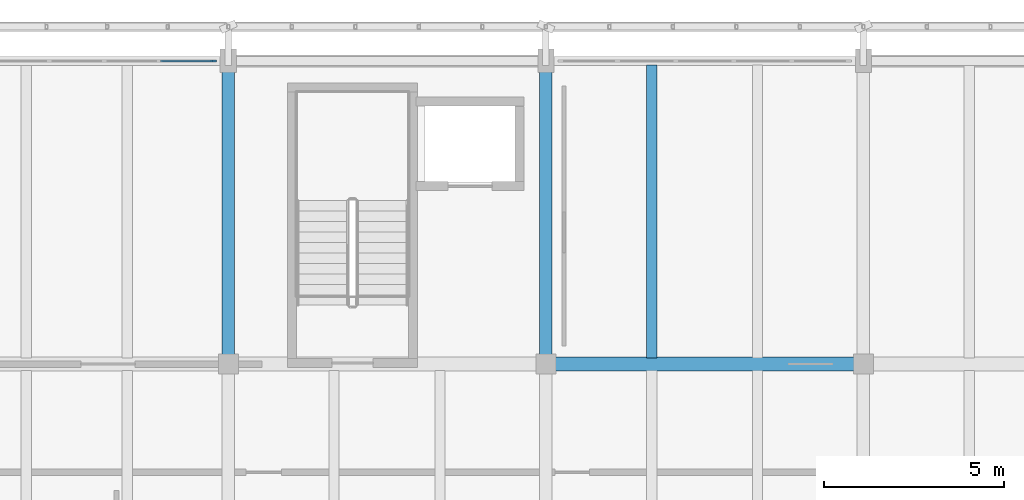
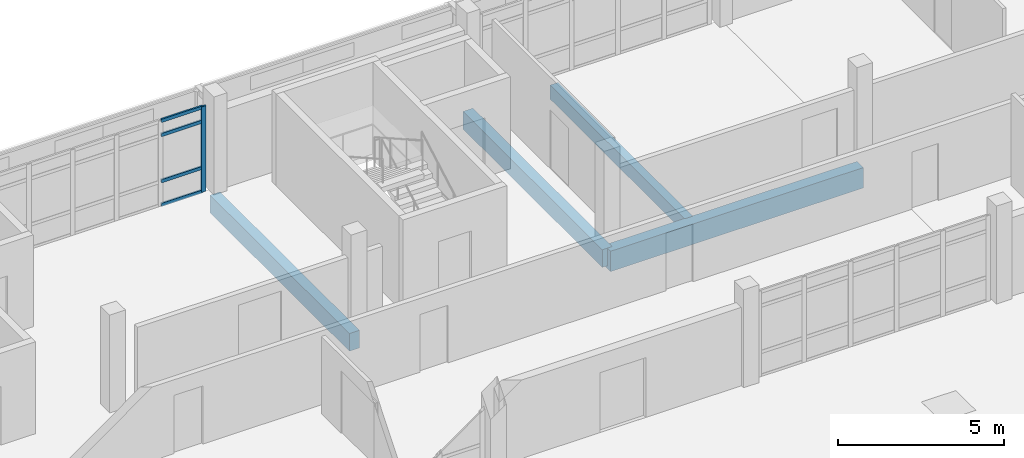
# One storey, part 10 of 30: 5 members, 4 beams, 1 element without a shape of its own.
"""IFC4 building model written with IfcOpenShell, lengths in metres."""

import ifcopenshell
import ifcopenshell.guid

model = None  # the IFC model being written
_history = None  # IfcOwnerHistory: only IFC2X3 demands one
_inside = {}  # id of a spatial element -> (the spatial element, [elements in it])
_under = {}  # id of a project, library or spatial element -> (it, [spatial elements below it])
_declared = {}  # id of a project -> (the project, [libraries it declares])
_typed = {}  # id of a type object -> (the type object, [elements of that type])
_made_of = {}  # id of a material, layer set ... -> (it, [elements and type objects made of it])


def new_model(schema):
    """Start an empty IFC model of exactly this schema.

    Asked for "IFC4X3", IfcOpenShell would pick the latest addendum, in which some entities
    have other attributes; the version numbers below select the first issue.
    IFC2X3 requires an IfcOwnerHistory on every rooted entity: one is made here for all.
    """
    global model, _history
    if schema == "IFC4X3":
        model = ifcopenshell.file(schema_version=(4, 3, 0, 0))
    else:
        model = ifcopenshell.file(schema=schema)
    _inside.clear()
    _under.clear()
    _declared.clear()
    _typed.clear()
    _made_of.clear()
    _history = None
    if model.schema == "IFC2X3":
        org = make("IfcOrganization", Name="unknown")
        user = make(
            "IfcPersonAndOrganization",
            ThePerson=make("IfcPerson", FamilyName="unknown"),
            TheOrganization=org,
        )
        app = make(
            "IfcApplication",
            ApplicationDeveloper=org,
            Version="unknown",
            ApplicationFullName="unknown",
            ApplicationIdentifier="unknown",
        )
        _history = make(
            "IfcOwnerHistory",
            OwningUser=user,
            OwningApplication=app,
            ChangeAction="ADDED",
            CreationDate=0,
        )
    return model


def make(cls, **values):
    """One entity of the class cls with the attributes given. An attribute that is None is left unset."""
    return model.create_entity(
        cls, **{name: value for name, value in values.items() if value is not None}
    )


def rooted(cls, **values):
    """An entity with a GlobalId (a new one), such as an element, a storey or a relation."""
    return make(cls, GlobalId=ifcopenshell.guid.new(), OwnerHistory=_history, **values)


def si_unit(unit_type, name, prefix=None):
    """IfcSIUnit, for example si_unit("LENGTHUNIT", "METRE", prefix="MILLI")."""
    return make("IfcSIUnit", UnitType=unit_type, Prefix=prefix, Name=name)


def assignment(units):
    """IfcUnitAssignment: the units of a project."""
    return None if units is None else make("IfcUnitAssignment", Units=units)


def point(xyz):
    """IfcCartesianPoint."""
    return None if xyz is None else make("IfcCartesianPoint", Coordinates=xyz)


def direction(xyz):
    """IfcDirection."""
    return None if xyz is None else make("IfcDirection", DirectionRatios=xyz)


def frame(location, z_axis=None, x_axis=None):
    """IfcAxis2Placement3D, a coordinate frame: its origin and axes. An axis left out is left unset."""
    return make(
        "IfcAxis2Placement3D",
        Location=point(location),
        Axis=direction(z_axis),
        RefDirection=direction(x_axis),
    )


def frame_2d(location, x_axis=None):
    """IfcAxis2Placement2D, a coordinate frame in the plane: its origin and x axis."""
    return make(
        "IfcAxis2Placement2D", Location=point(location), RefDirection=direction(x_axis)
    )


def origin():
    """The frame at (0, 0, 0) with its axes left unset."""
    return frame((0.0, 0.0, 0.0))


def origin_2d():
    """The frame at (0, 0) in the plane with its x axis left unset."""
    return frame_2d((0.0, 0.0))


def place(relative_to, where):
    """IfcLocalPlacement: puts the frame where relative to a parent placement (None: the world)."""
    return make(
        "IfcLocalPlacement", PlacementRelTo=relative_to, RelativePlacement=where
    )


def context(
    kind, dimensions, precision=None, world=None, true_north=None, identifier=None
):
    """IfcGeometricRepresentationContext, for example the 3D "Model" context."""
    return make(
        "IfcGeometricRepresentationContext",
        ContextIdentifier=identifier,
        ContextType=kind,
        CoordinateSpaceDimension=dimensions,
        Precision=precision,
        WorldCoordinateSystem=world,
        TrueNorth=true_north,
    )


def subcontext(parent, identifier, kind, view, scale=None):
    """IfcGeometricRepresentationSubContext, for example "Body" below "Model"."""
    return make(
        "IfcGeometricRepresentationSubContext",
        ContextIdentifier=identifier,
        ContextType=kind,
        ParentContext=parent,
        TargetScale=scale,
        TargetView=view,
    )


def project(units=None, contexts=None):
    """IfcProject with its units and contexts."""
    return rooted(
        "IfcProject",
        Name="project",
        RepresentationContexts=contexts,
        UnitsInContext=assignment(units),
    )


def spatial(cls, under=None, at=None, **own):
    """A site, building, storey or space (cls), placed at a placement, below another one or the project."""
    s = rooted(cls, ObjectPlacement=at, **own)
    if under is not None:
        _under.setdefault(under.id(), (under, []))[1].append(s)
    return s


def profile(cls, at=None, kind="AREA", **sizes):
    """A parametric profile (cls). Its sizes go by their IFC names, for example OverallWidth=200.0."""
    return make(cls, ProfileType=kind, Position=at, **sizes)


def rectangle(**sizes):
    """IfcRectangleProfileDef."""
    return profile("IfcRectangleProfileDef", **sizes)


def extrude(swept, where, along, depth):
    """IfcExtrudedAreaSolid: the profile swept, set in the frame where, extruded along a direction by depth."""
    return make(
        "IfcExtrudedAreaSolid",
        SweptArea=swept,
        Position=where,
        ExtrudedDirection=direction(along),
        Depth=depth,
    )


def shape(context_of_items, identifier, shape_type, items):
    """IfcShapeRepresentation: the items that make up one representation, for example the "Body"."""
    return make(
        "IfcShapeRepresentation",
        ContextOfItems=context_of_items,
        RepresentationIdentifier=identifier,
        RepresentationType=shape_type,
        Items=items,
    )


def material(Name=None, Category=None):
    """IfcMaterial."""
    return make("IfcMaterial", Name=Name, Category=Category)


def material_profile(
    of_material, cross_section, Name=None, Category=None, Priority=None
):
    """IfcMaterialProfile: a cross section and its material."""
    return make(
        "IfcMaterialProfile",
        Name=Name,
        Material=of_material,
        Profile=cross_section,
        Priority=Priority,
        Category=Category,
    )


def profile_set(profiles, Name=None, composite=None):
    """IfcMaterialProfileSet."""
    return make(
        "IfcMaterialProfileSet",
        Name=Name,
        MaterialProfiles=profiles,
        CompositeProfile=composite,
    )


def made_of(thing, what):
    """Note that an element or type object is made of a material, layer set ...; save() writes the relation."""
    if what is not None:
        _made_of.setdefault(what.id(), (what, []))[1].append(thing)
    return thing


def type_object(cls, material=None, **own):
    """A type object (cls), such as IfcWallType, which elements share."""
    return made_of(rooted(cls, **own), material)


def element(
    cls,
    number,
    at=None,
    inside=None,
    cuts=None,
    type_object=None,
    material=None,
    context=None,
    identifier="Body",
    shape_type=None,
    held_by="IfcProductDefinitionShape",
    body=None,
    shapes=None,
    **own,
):
    """One element of the class cls, such as IfcWall. Its Tag is "e" and its number.

    at: its placement. inside: the storey or other place that contains it. cuts: it is an
    opening in that element (IfcRelVoidsElement). A single representation is given by context,
    identifier, shape_type and body (its items); several are given by shapes. held_by: the class
    of the entity that holds the representations. save() writes the other relations.
    """
    e = rooted(cls, Tag="e%d" % number, ObjectPlacement=at, **own)
    if body is not None:
        shapes = [shape(context, identifier, shape_type, body)]
    if shapes is not None:
        e.Representation = make(held_by, Representations=shapes)
    if inside is not None:
        _inside.setdefault(inside.id(), (inside, []))[1].append(e)
    if cuts is not None:
        rooted(
            "IfcRelVoidsElement", RelatingBuildingElement=cuts, RelatedOpeningElement=e
        )
    if type_object is not None:
        _typed.setdefault(type_object.id(), (type_object, []))[1].append(e)
    return made_of(e, material)


def aggregate(whole, parts):
    """IfcRelAggregates: a whole, such as a stair, and the parts it consists of."""
    return rooted("IfcRelAggregates", RelatingObject=whole, RelatedObjects=parts)


def save(model, path):
    """Write the relations noted so far, then the file.

    IfcRelAggregates (storeys below a building ...), IfcRelContainedInSpatialStructure (elements
    in a storey), IfcRelDefinesByType, IfcRelAssociatesMaterial and IfcRelDeclares: one each for
    every whole, place, type object, material and project.
    """
    for whole, parts in _under.values():
        aggregate(whole, parts)
    for where, things in _inside.values():
        rooted(
            "IfcRelContainedInSpatialStructure",
            RelatedElements=things,
            RelatingStructure=where,
        )
    for kind, things in _typed.values():
        rooted("IfcRelDefinesByType", RelatedObjects=things, RelatingType=kind)
    for what, things in _made_of.values():
        rooted("IfcRelAssociatesMaterial", RelatedObjects=things, RelatingMaterial=what)
    for by, libraries in _declared.values():
        rooted("IfcRelDeclares", RelatingContext=by, RelatedDefinitions=libraries)
    model.write(path)


model = new_model("IFC4")

# Units and contexts
model_context = context("Model", 3, precision=1e-05, world=origin(), true_north=direction((0.0, 1.0)))
body_context = subcontext(model_context, "Body", "Model", "MODEL_VIEW")
ifc_project = project(units=[si_unit("LENGTHUNIT", "METRE"), si_unit("AREAUNIT", "SQUARE_METRE"), si_unit("VOLUMEUNIT", "CUBIC_METRE"), si_unit("PLANEANGLEUNIT", "RADIAN"), si_unit("MASSUNIT", "GRAM", prefix="KILO")], contexts=[model_context])

# Site, building, storey
site_placement = place(None, origin())
site = spatial("IfcSite", under=ifc_project, at=site_placement, CompositionType="ELEMENT")
building_placement = place(site_placement, origin())
building = spatial("IfcBuilding", under=site, at=building_placement, Name="Cinderway Yard Community Centre", CompositionType="ELEMENT")
storey_placement = place(building_placement, frame((0.0, 0.0, 16.5)))
storey = spatial("IfcBuildingStorey", under=building, at=storey_placement, Name="L04", CompositionType="ELEMENT", Elevation=16.5)

# Curtain wall, members
ifc_material_1 = material(Name="Aluminium 6063-T6", Category="aluminium")
curtain_wall_type = type_object("IfcCurtainWallType", Name="ENV-CW-TYPE-32", PredefinedType="USERDEFINED", material=ifc_material_1)
curtain_wall_placement = place(storey_placement, origin())
curtain_wall = element("IfcCurtainWall", 1, at=curtain_wall_placement, inside=storey, type_object=curtain_wall_type, Name="V4 Street Curtain Wall ENV-CW-L04-ST-0179", ObjectType="GLAZED CURTAIN WALL", PredefinedType="USERDEFINED")
ifc_material_profile_1 = material_profile(ifc_material_1, rectangle(XDim=0.06005859375, YDim=0.159912109375, at=origin_2d()), Name="Aluminium 6063-T6")
ifc_profile_set_1 = profile_set([ifc_material_profile_1], Name="Aluminium 6063-T6")
member_type_1 = type_object("IfcMemberType", Name="ENV-CW-MULL-150", PredefinedType="MULLION", material=ifc_profile_set_1)
member_1_placement = place(storey_placement, frame((74.7900390625, 115.199951171875, 0.0), z_axis=(0.0, 0.0, 1.0), x_axis=(0.0, 1.0, 0.0)))
member_1 = element("IfcMember", 2, at=member_1_placement, type_object=member_type_1, Name="CW-32 mullion 6", PredefinedType="MULLION", context=body_context, shape_type="SweptSolid", body=[
    extrude(rectangle(XDim=0.06005859375, YDim=0.159912109375, at=origin_2d()), origin(), (0.0, 0.0, 1.0), 3.14990234375),
])
ifc_material_profile_2 = material_profile(ifc_material_1, rectangle(XDim=0.06005859375, YDim=0.1201171875, at=origin_2d()), Name="Aluminium 6063-T6")
ifc_profile_set_2 = profile_set([ifc_material_profile_2], Name="Aluminium 6063-T6")
member_type_2 = type_object("IfcMemberType", Name="ENV-CW-TRAN-110", PredefinedType="USERDEFINED", material=ifc_profile_set_2)
member_2_placement = place(storey_placement, frame((73.322021484375, 115.199951171875, 0.030029296875), z_axis=(1.0, 0.0, 0.0), x_axis=(0.0, 1.0, 0.0)))
member_2 = element("IfcMember", 3, at=member_2_placement, type_object=member_type_2, Name="CW-32 transom 5.1", ObjectType="TRANSOM", PredefinedType="USERDEFINED", context=body_context, shape_type="SweptSolid", body=[
    extrude(rectangle(XDim=0.06005859375, YDim=0.1201171875, at=origin_2d()), origin(), (0.0, 0.0, 1.0), 1.43798828125),
])
member_3_placement = place(storey_placement, frame((73.322021484375, 115.199951171875, 0.89990234375), z_axis=(1.0, 0.0, 0.0), x_axis=(0.0, 1.0, 0.0)))
member_3 = element("IfcMember", 4, at=member_3_placement, type_object=member_type_2, Name="CW-32 transom 5.2", ObjectType="TRANSOM", PredefinedType="USERDEFINED", context=body_context, shape_type="SweptSolid", body=[
    extrude(rectangle(XDim=0.06005859375, YDim=0.1201171875, at=origin_2d()), origin(), (0.0, 0.0, 1.0), 1.43798828125),
])
member_4_placement = place(storey_placement, frame((73.322021484375, 115.199951171875, 2.60009765625), z_axis=(1.0, 0.0, 0.0), x_axis=(0.0, 1.0, 0.0)))
member_4 = element("IfcMember", 5, at=member_4_placement, type_object=member_type_2, Name="CW-32 transom 5.3", ObjectType="TRANSOM", PredefinedType="USERDEFINED", context=body_context, shape_type="SweptSolid", body=[
    extrude(rectangle(XDim=0.06005859375, YDim=0.1201171875, at=origin_2d()), origin(), (0.0, 0.0, 1.0), 1.43798828125),
])
member_5_placement = place(storey_placement, frame((73.322021484375, 115.199951171875, 3.1201171875), z_axis=(1.0, 0.0, 0.0), x_axis=(0.0, 1.0, 0.0)))
member_5 = element("IfcMember", 6, at=member_5_placement, type_object=member_type_2, Name="CW-32 transom 5.4", ObjectType="TRANSOM", PredefinedType="USERDEFINED", context=body_context, shape_type="SweptSolid", body=[
    extrude(rectangle(XDim=0.06005859375, YDim=0.1201171875, at=origin_2d()), origin(), (0.0, 0.0, 1.0), 1.43798828125),
])
aggregate(curtain_wall, [member_1, member_2, member_3, member_4, member_5])

# Beams
ifc_material_2 = material(Name="Concrete C35/45", Category="concrete")
ifc_material_profile_3 = material_profile(ifc_material_2, rectangle(XDim=0.280029296875, YDim=0.52001953125, at=origin_2d()), Name="Concrete C35/45")
ifc_profile_set_3 = profile_set([ifc_material_profile_3], Name="Concrete C35/45")
beam_type_1 = type_object("IfcBeamType", Name="STR-BM-RC280X520", PredefinedType="JOIST", material=ifc_profile_set_3)
beam_1_placement = place(storey_placement, frame((86.93310546875, 106.971923828125, -0.47998046875), z_axis=(0.0, 1.0, 0.0), x_axis=(-1.0, 0.0, 0.0)))
element("IfcBeam", 7, at=beam_1_placement, inside=storey, type_object=beam_type_1, Name="Secondary joist STR-BM-L04-BJ04-0885", PredefinedType="JOIST", context=body_context, shape_type="SweptSolid", body=[
    extrude(rectangle(XDim=0.280029296875, YDim=0.52001953125, at=origin_2d()), origin(), (0.0, 0.0, 1.0), 8.115966796875),
])
ifc_material_profile_4 = material_profile(ifc_material_2, rectangle(XDim=0.35009765625, YDim=0.64990234375, at=origin_2d()), Name="Concrete C35/45")
ifc_profile_set_4 = profile_set([ifc_material_profile_4], Name="Concrete C35/45")
beam_type_2 = type_object("IfcBeamType", Name="STR-BM-RC350X650", PredefinedType="BEAM", material=ifc_profile_set_4)
for number, where, z_axis, x_axis, name in (
    (8, (75.199951171875, 106.800048828125, -0.544921875), (0.0, 1.0, 0.0), (-1.0, 0.0, 0.0), "Transverse girder STR-BM-L04-BG08-0852"),
    (9, (84.0, 106.800048828125, -0.544921875), (0.0, 1.0, 0.0), (-1.0, 0.0, 0.0), "Transverse girder STR-BM-L04-BG08-0854"),
):
    element("IfcBeam", number, at=place(storey_placement, frame(where, z_axis=z_axis, x_axis=x_axis)), inside=storey, type_object=beam_type_2, Name=name, PredefinedType="BEAM", context=body_context, shape_type="SweptSolid", body=[
        extrude(rectangle(XDim=0.35009765625, YDim=0.64990234375, at=origin_2d()), origin(), (0.0, 0.0, 1.0), 8.39990234375),
    ])
ifc_material_profile_5 = material_profile(ifc_material_2, rectangle(XDim=0.3798828125, YDim=0.75, at=origin_2d()), Name="Concrete C35/45")
ifc_profile_set_5 = profile_set([ifc_material_profile_5], Name="Concrete C35/45")
beam_type_3 = type_object("IfcBeamType", Name="STR-BM-RC380X750", PredefinedType="BEAM", material=ifc_profile_set_5)
beam_2_placement = place(storey_placement, frame((84.0, 106.800048828125, -0.594970703125), z_axis=(1.0, 0.0, 0.0), x_axis=(0.0, 1.0, 0.0)))
element("IfcBeam", 10, at=beam_2_placement, inside=storey, type_object=beam_type_3, Name="Primary girder STR-BM-L04-BG06-0826", PredefinedType="BEAM", context=body_context, shape_type="SweptSolid", body=[
    extrude(rectangle(XDim=0.3798828125, YDim=0.75, at=origin_2d()), origin(), (0.0, 0.0, 1.0), 8.800048828125),
])

save(model, "model.ifc")
